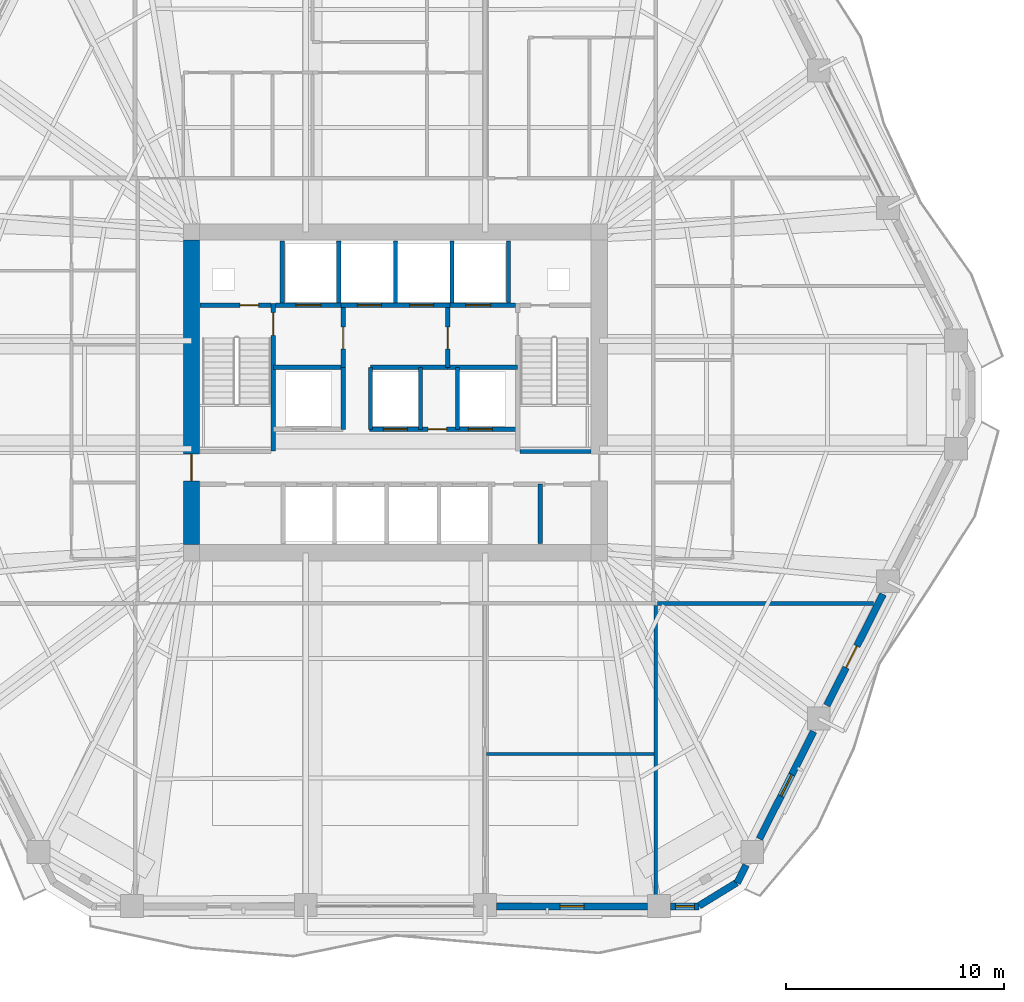
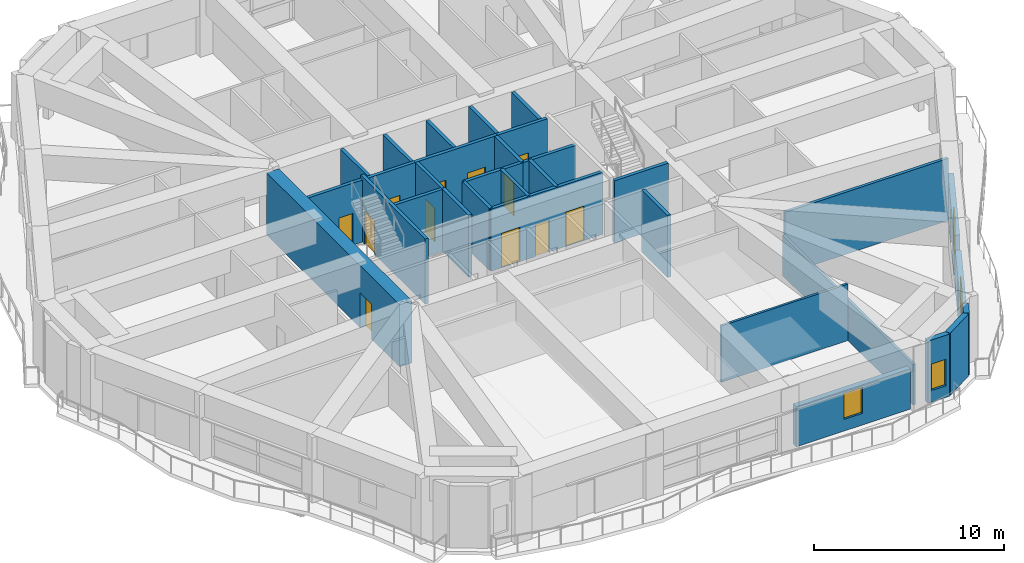
# One storey, part 15 of 23: 32 walls, 13 doors, 3 windows, 16 openings.
"""IFC4 building model written with IfcOpenShell, lengths in metres."""

import ifcopenshell
import ifcopenshell.guid

model = None  # the IFC model being written
_history = None  # IfcOwnerHistory: only IFC2X3 demands one
_inside = {}  # id of a spatial element -> (the spatial element, [elements in it])
_under = {}  # id of a project, library or spatial element -> (it, [spatial elements below it])
_declared = {}  # id of a project -> (the project, [libraries it declares])
_typed = {}  # id of a type object -> (the type object, [elements of that type])
_made_of = {}  # id of a material, layer set ... -> (it, [elements and type objects made of it])


def new_model(schema):
    """Start an empty IFC model of exactly this schema.

    Asked for "IFC4X3", IfcOpenShell would pick the latest addendum, in which some entities
    have other attributes; the version numbers below select the first issue.
    IFC2X3 requires an IfcOwnerHistory on every rooted entity: one is made here for all.
    """
    global model, _history
    if schema == "IFC4X3":
        model = ifcopenshell.file(schema_version=(4, 3, 0, 0))
    else:
        model = ifcopenshell.file(schema=schema)
    _inside.clear()
    _under.clear()
    _declared.clear()
    _typed.clear()
    _made_of.clear()
    _history = None
    if model.schema == "IFC2X3":
        org = make("IfcOrganization", Name="unknown")
        user = make(
            "IfcPersonAndOrganization",
            ThePerson=make("IfcPerson", FamilyName="unknown"),
            TheOrganization=org,
        )
        app = make(
            "IfcApplication",
            ApplicationDeveloper=org,
            Version="unknown",
            ApplicationFullName="unknown",
            ApplicationIdentifier="unknown",
        )
        _history = make(
            "IfcOwnerHistory",
            OwningUser=user,
            OwningApplication=app,
            ChangeAction="ADDED",
            CreationDate=0,
        )
    return model


def make(cls, **values):
    """One entity of the class cls with the attributes given. An attribute that is None is left unset."""
    return model.create_entity(
        cls, **{name: value for name, value in values.items() if value is not None}
    )


def rooted(cls, **values):
    """An entity with a GlobalId (a new one), such as an element, a storey or a relation."""
    return make(cls, GlobalId=ifcopenshell.guid.new(), OwnerHistory=_history, **values)


def si_unit(unit_type, name, prefix=None):
    """IfcSIUnit, for example si_unit("LENGTHUNIT", "METRE", prefix="MILLI")."""
    return make("IfcSIUnit", UnitType=unit_type, Prefix=prefix, Name=name)


def assignment(units):
    """IfcUnitAssignment: the units of a project."""
    return None if units is None else make("IfcUnitAssignment", Units=units)


def point(xyz):
    """IfcCartesianPoint."""
    return None if xyz is None else make("IfcCartesianPoint", Coordinates=xyz)


def direction(xyz):
    """IfcDirection."""
    return None if xyz is None else make("IfcDirection", DirectionRatios=xyz)


def frame(location, z_axis=None, x_axis=None):
    """IfcAxis2Placement3D, a coordinate frame: its origin and axes. An axis left out is left unset."""
    return make(
        "IfcAxis2Placement3D",
        Location=point(location),
        Axis=direction(z_axis),
        RefDirection=direction(x_axis),
    )


def frame_2d(location, x_axis=None):
    """IfcAxis2Placement2D, a coordinate frame in the plane: its origin and x axis."""
    return make(
        "IfcAxis2Placement2D", Location=point(location), RefDirection=direction(x_axis)
    )


def origin():
    """The frame at (0, 0, 0) with its axes left unset."""
    return frame((0.0, 0.0, 0.0))


def place(relative_to, where):
    """IfcLocalPlacement: puts the frame where relative to a parent placement (None: the world)."""
    return make(
        "IfcLocalPlacement", PlacementRelTo=relative_to, RelativePlacement=where
    )


def context(
    kind, dimensions, precision=None, world=None, true_north=None, identifier=None
):
    """IfcGeometricRepresentationContext, for example the 3D "Model" context."""
    return make(
        "IfcGeometricRepresentationContext",
        ContextIdentifier=identifier,
        ContextType=kind,
        CoordinateSpaceDimension=dimensions,
        Precision=precision,
        WorldCoordinateSystem=world,
        TrueNorth=true_north,
    )


def subcontext(parent, identifier, kind, view, scale=None):
    """IfcGeometricRepresentationSubContext, for example "Body" below "Model"."""
    return make(
        "IfcGeometricRepresentationSubContext",
        ContextIdentifier=identifier,
        ContextType=kind,
        ParentContext=parent,
        TargetScale=scale,
        TargetView=view,
    )


def project(units=None, contexts=None):
    """IfcProject with its units and contexts."""
    return rooted(
        "IfcProject",
        Name="project",
        RepresentationContexts=contexts,
        UnitsInContext=assignment(units),
    )


def spatial(cls, under=None, at=None, **own):
    """A site, building, storey or space (cls), placed at a placement, below another one or the project."""
    s = rooted(cls, ObjectPlacement=at, **own)
    if under is not None:
        _under.setdefault(under.id(), (under, []))[1].append(s)
    return s


def profile(cls, at=None, kind="AREA", **sizes):
    """A parametric profile (cls). Its sizes go by their IFC names, for example OverallWidth=200.0."""
    return make(cls, ProfileType=kind, Position=at, **sizes)


def rectangle(**sizes):
    """IfcRectangleProfileDef."""
    return profile("IfcRectangleProfileDef", **sizes)


def extrude(swept, where, along, depth):
    """IfcExtrudedAreaSolid: the profile swept, set in the frame where, extruded along a direction by depth."""
    return make(
        "IfcExtrudedAreaSolid",
        SweptArea=swept,
        Position=where,
        ExtrudedDirection=direction(along),
        Depth=depth,
    )


def shape(context_of_items, identifier, shape_type, items):
    """IfcShapeRepresentation: the items that make up one representation, for example the "Body"."""
    return make(
        "IfcShapeRepresentation",
        ContextOfItems=context_of_items,
        RepresentationIdentifier=identifier,
        RepresentationType=shape_type,
        Items=items,
    )


def material(Name=None, Category=None):
    """IfcMaterial."""
    return make("IfcMaterial", Name=Name, Category=Category)


def layer(
    of_material, thickness, ventilated=None, Name=None, Category=None, Priority=None
):
    """IfcMaterialLayer: one layer of a wall or slab, of a material (None: an air gap)."""
    return make(
        "IfcMaterialLayer",
        Material=of_material,
        LayerThickness=thickness,
        IsVentilated=ventilated,
        Name=Name,
        Category=Category,
        Priority=Priority,
    )


def layer_set(layers, Name=None):
    """IfcMaterialLayerSet."""
    return make("IfcMaterialLayerSet", MaterialLayers=layers, LayerSetName=Name)


def made_of(thing, what):
    """Note that an element or type object is made of a material, layer set ...; save() writes the relation."""
    if what is not None:
        _made_of.setdefault(what.id(), (what, []))[1].append(thing)
    return thing


def type_object(cls, material=None, **own):
    """A type object (cls), such as IfcWallType, which elements share."""
    return made_of(rooted(cls, **own), material)


def element(
    cls,
    number,
    at=None,
    inside=None,
    cuts=None,
    type_object=None,
    material=None,
    context=None,
    identifier="Body",
    shape_type=None,
    held_by="IfcProductDefinitionShape",
    body=None,
    shapes=None,
    **own,
):
    """One element of the class cls, such as IfcWall. Its Tag is "e" and its number.

    at: its placement. inside: the storey or other place that contains it. cuts: it is an
    opening in that element (IfcRelVoidsElement). A single representation is given by context,
    identifier, shape_type and body (its items); several are given by shapes. held_by: the class
    of the entity that holds the representations. save() writes the other relations.
    """
    e = rooted(cls, Tag="e%d" % number, ObjectPlacement=at, **own)
    if body is not None:
        shapes = [shape(context, identifier, shape_type, body)]
    if shapes is not None:
        e.Representation = make(held_by, Representations=shapes)
    if inside is not None:
        _inside.setdefault(inside.id(), (inside, []))[1].append(e)
    if cuts is not None:
        rooted(
            "IfcRelVoidsElement", RelatingBuildingElement=cuts, RelatedOpeningElement=e
        )
    if type_object is not None:
        _typed.setdefault(type_object.id(), (type_object, []))[1].append(e)
    return made_of(e, material)


def fill(opening, filler):
    """IfcRelFillsElement: the door or window that sits in an opening."""
    return rooted(
        "IfcRelFillsElement",
        RelatingOpeningElement=opening,
        RelatedBuildingElement=filler,
    )


def aggregate(whole, parts):
    """IfcRelAggregates: a whole, such as a stair, and the parts it consists of."""
    return rooted("IfcRelAggregates", RelatingObject=whole, RelatedObjects=parts)


def save(model, path):
    """Write the relations noted so far, then the file.

    IfcRelAggregates (storeys below a building ...), IfcRelContainedInSpatialStructure (elements
    in a storey), IfcRelDefinesByType, IfcRelAssociatesMaterial and IfcRelDeclares: one each for
    every whole, place, type object, material and project.
    """
    for whole, parts in _under.values():
        aggregate(whole, parts)
    for where, things in _inside.values():
        rooted(
            "IfcRelContainedInSpatialStructure",
            RelatedElements=things,
            RelatingStructure=where,
        )
    for kind, things in _typed.values():
        rooted("IfcRelDefinesByType", RelatedObjects=things, RelatingType=kind)
    for what, things in _made_of.values():
        rooted("IfcRelAssociatesMaterial", RelatedObjects=things, RelatingMaterial=what)
    for by, libraries in _declared.values():
        rooted("IfcRelDeclares", RelatingContext=by, RelatedDefinitions=libraries)
    model.write(path)


model = new_model("IFC4")

# Units and contexts
model_context = context("Model", 3, precision=1e-05, world=origin(), true_north=direction((0.0, 1.0)))
body_context = subcontext(model_context, "Body", "Model", "MODEL_VIEW")
ifc_project = project(units=[si_unit("LENGTHUNIT", "METRE"), si_unit("AREAUNIT", "SQUARE_METRE"), si_unit("VOLUMEUNIT", "CUBIC_METRE"), si_unit("PLANEANGLEUNIT", "RADIAN"), si_unit("MASSUNIT", "GRAM", prefix="KILO")], contexts=[model_context])

# Site, building, storey
site_placement = place(None, origin())
site = spatial("IfcSite", under=ifc_project, at=site_placement, CompositionType="ELEMENT")
building_placement = place(site_placement, origin())
building = spatial("IfcBuilding", under=site, at=building_placement, Name="Cinnabar Lancet Tower", CompositionType="ELEMENT")
storey_placement = place(building_placement, frame((0.0, 0.0, 94.199951171875)))
storey = spatial("IfcBuildingStorey", under=building, at=storey_placement, Name="L24", CompositionType="ELEMENT", Elevation=94.199951171875)

# Walls
ifc_material_1 = material(Name="Acoustic twin-stud gypsum partition", Category="gypsum")
ifc_layer_1 = layer(ifc_material_1, 0.159912109375)
ifc_layer_set_1 = layer_set([ifc_layer_1], Name="Acoustic twin-stud gypsum partition")
wall_type_1 = type_object("IfcWallType", Name="ARC-WL-CORR-160", PredefinedType="PARTITIONING", material=ifc_layer_set_1)
wall_1_placement = place(storey_placement, frame((44.366943359375, 2.364990234375, 0.0), z_axis=(0.0, 0.0, 1.0), x_axis=(0.0, 1.0, 0.0)))
element("IfcWall", 1, at=wall_1_placement, inside=storey, type_object=wall_type_1, Name="PW-L24-SLWCE", PredefinedType="PARTITIONING", context=body_context, shape_type="SweptSolid", body=[
    extrude(rectangle(XDim=13.75, YDim=0.159912109375, at=frame_2d((6.875, 0.0))), origin(), (0.0, 0.0, 1.0), 2.590087890625),
])
ifc_material_2 = material(Name="Fire-rated twin-frame acoustic drywall", Category="gypsum")
ifc_layer_2 = layer(ifc_material_2, 0.179931640625)
ifc_layer_set_2 = layer_set([ifc_layer_2], Name="Fire-rated twin-frame acoustic drywall")
wall_type_2 = type_object("IfcWallType", Name="ARC-WL-PARTY-180", PredefinedType="PARTITIONING", material=ifc_layer_set_2)
wall_2_placement = place(storey_placement, frame((44.451904296875, 16.199951171875, 0.0), z_axis=(0.0, 0.0, 1.0), x_axis=(1.0, 0.0, 0.0)))
element("IfcWall", 2, at=wall_2_placement, inside=storey, type_object=wall_type_2, Name="PW-L24-ESB", PredefinedType="PARTITIONING", context=body_context, shape_type="SweptSolid", body=[
    extrude(rectangle(XDim=9.922119140625, YDim=0.179931640625, at=frame_2d((4.9609375, 0.0))), origin(), (0.0, 0.0, 1.0), 3.989990234375),
])
ifc_material_3 = material(Name="Autoclaved aerated concrete blockwork", Category="masonry")
ifc_layer_3 = layer(ifc_material_3, 0.199951171875)
ifc_layer_set_3 = layer_set([ifc_layer_3], Name="Autoclaved aerated concrete blockwork")
wall_type_3 = type_object("IfcWallType", Name="ARC-WL-SHAFT-200", PredefinedType="PLUMBINGWALL", material=ifc_layer_set_3)
wall_3_placement = place(storey_placement, frame((38.125, 23.199951171875, 0.0), z_axis=(0.0, 0.0, 1.0), x_axis=(1.0, 0.0, 0.0)))
element("IfcWall", 3, at=wall_3_placement, inside=storey, type_object=wall_type_3, Name="CW-ST2S-L24", PredefinedType="PLUMBINGWALL", context=body_context, shape_type="SweptSolid", body=[
    extrude(rectangle(XDim=3.27001953125, YDim=0.199951171875, at=frame_2d((1.635009765625, 0.0))), origin(), (0.0, 0.0, 1.0), 3.989990234375),
])

# Wall, opening, door
wall_4_placement = place(storey_placement, frame((23.405029296875, 29.89990234375, 0.0), z_axis=(0.0, 0.0, 1.0), x_axis=(1.0, 0.0, 0.0)))
wall_4 = element("IfcWall", 4, at=wall_4_placement, inside=storey, type_object=wall_type_3, Name="CW-NSH-W-L24", PredefinedType="PLUMBINGWALL", context=body_context, shape_type="SweptSolid", body=[
    extrude(rectangle(XDim=3.27001953125, YDim=0.199951171875, at=frame_2d((1.635009765625, 0.0))), origin(), (0.0, 0.0, 1.0), 3.989990234375),
])
opening_1_placement = place(wall_4_placement, frame((1.85009765625, 0.0, 0.0)))
opening_1 = element("IfcOpeningElement", 5, at=opening_1_placement, cuts=wall_4, Name="Opening PD-02", PredefinedType="OPENING", context=body_context, shape_type="SweptSolid", body=[
    extrude(rectangle(XDim=0.85009765625, YDim=2.050048828125, at=frame_2d((0.425048828125, 1.02490234375))), frame((0.0, 0.10986328125, 0.0), z_axis=(0.0, -1.0, 0.0), x_axis=(1.0, 0.0, 0.0)), (0.0, 0.0, 1.0), 0.219970703125),
])
ifc_material_4 = material(Name="Fire-rated steel riser access door", Category="steel")
door_type_1 = type_object("IfcDoorType", Name="ARC-DR-RISER", OperationType="NOTDEFINED", PredefinedType="DOOR", material=ifc_material_4)
door_1_placement = place(opening_1_placement, origin())
door_1 = element("IfcDoor", 6, at=door_1_placement, inside=storey, type_object=door_type_1, Name="L24 West Riser Access Door", OperationType="SINGLE_SWING_LEFT", OverallHeight=2.050048828125, OverallWidth=0.85009765625, PredefinedType="DOOR", context=body_context, shape_type="SweptSolid", body=[
    extrude(rectangle(XDim=0.85009765625, YDim=2.050048828125, at=frame_2d((0.425048828125, 1.02490234375))), frame((0.0, 0.02490234375, 0.0), z_axis=(0.0, -1.0, 0.0), x_axis=(1.0, 0.0, 0.0)), (0.0, 0.0, 1.0), 0.050048828125),
])
fill(opening_1, door_1)

wall_5_placement = place(storey_placement, frame((26.885009765625, 29.89990234375, 0.0), z_axis=(0.0, 0.0, 1.0), x_axis=(1.0, 0.0, 0.0)))
wall_5 = element("IfcWall", 7, at=wall_5_placement, inside=storey, type_object=wall_type_3, Name="CW-FL1-L24", PredefinedType="PLUMBINGWALL", context=body_context, shape_type="SweptSolid", body=[
    extrude(rectangle(XDim=3.014892578125, YDim=0.199951171875, at=frame_2d((1.50732421875, 0.0))), origin(), (0.0, 0.0, 1.0), 3.989990234375),
])
opening_2_placement = place(wall_5_placement, frame((0.93994140625, 0.0, 0.0)))
opening_2 = element("IfcOpeningElement", 8, at=opening_2_placement, cuts=wall_5, Name="Opening LD-02", PredefinedType="OPENING", context=body_context, shape_type="SweptSolid", body=[
    extrude(rectangle(XDim=1.14990234375, YDim=2.199951171875, at=frame_2d((0.574951171875, 1.10009765625))), frame((0.0, 0.10986328125, 0.0), z_axis=(0.0, -1.0, 0.0), x_axis=(1.0, 0.0, 0.0)), (0.0, 0.0, 1.0), 0.219970703125),
])
ifc_material_5 = material(Name="Fire-rated stainless steel firefighting lift landing door", Category="steel")
door_type_2 = type_object("IfcDoorType", Name="ARC-DR-LD-FIRE", OperationType="NOTDEFINED", PredefinedType="DOOR", material=ifc_material_5)
door_2_placement = place(opening_2_placement, origin())
door_2 = element("IfcDoor", 9, at=door_2_placement, inside=storey, type_object=door_type_2, Name="L24 Firefighting Lift FL-1 Landing Door", OperationType="DOUBLE_DOOR_SLIDING", OverallHeight=2.199951171875, OverallWidth=1.14990234375, PredefinedType="DOOR", context=body_context, shape_type="SweptSolid", body=[
    extrude(rectangle(XDim=1.14990234375, YDim=2.199951171875, at=frame_2d((0.574951171875, 1.10009765625))), frame((0.0, 0.02490234375, 0.0), z_axis=(0.0, -1.0, 0.0), x_axis=(1.0, 0.0, 0.0)), (0.0, 0.0, 1.0), 0.050048828125),
])
fill(opening_2, door_2)

# Wall, openings, doors
wall_6_placement = place(storey_placement, frame((29.89990234375, 29.89990234375, 0.0), z_axis=(0.0, 0.0, 1.0), x_axis=(1.0, 0.0, 0.0)))
wall_6 = element("IfcWall", 10, at=wall_6_placement, inside=storey, type_object=wall_type_3, Name="CW-PL78-L24", PredefinedType="PLUMBINGWALL", context=body_context, shape_type="SweptSolid", body=[
    extrude(rectangle(XDim=5.0, YDim=0.199951171875, at=frame_2d((2.5, 0.0))), origin(), (0.0, 0.0, 1.0), 3.989990234375),
])
opening_3_placement = place(wall_6_placement, frame((0.75, 0.0, 0.0)))
opening_3 = element("IfcOpeningElement", 11, at=opening_3_placement, cuts=wall_6, Name="Opening LD-01", PredefinedType="OPENING", context=body_context, shape_type="SweptSolid", body=[
    extrude(rectangle(XDim=1.10009765625, YDim=2.199951171875, at=frame_2d((0.550048828125, 1.10009765625))), frame((0.0, 0.10986328125, 0.0), z_axis=(0.0, -1.0, 0.0), x_axis=(1.0, 0.0, 0.0)), (0.0, 0.0, 1.0), 0.219970703125),
])
opening_4_placement = place(wall_6_placement, frame((3.14990234375, 0.0, 0.0)))
opening_4 = element("IfcOpeningElement", 12, at=opening_4_placement, cuts=wall_6, Name="Opening LD-01", PredefinedType="OPENING", context=body_context, shape_type="SweptSolid", body=[
    extrude(rectangle(XDim=1.10009765625, YDim=2.199951171875, at=frame_2d((0.550048828125, 1.10009765625))), frame((0.0, 0.10986328125, 0.0), z_axis=(0.0, -1.0, 0.0), x_axis=(1.0, 0.0, 0.0)), (0.0, 0.0, 1.0), 0.219970703125),
])
ifc_material_6 = material(Name="Brushed stainless steel sliding lift door", Category="steel")
door_type_3 = type_object("IfcDoorType", Name="ARC-DR-LD-PASS", OperationType="NOTDEFINED", PredefinedType="DOOR", material=ifc_material_6)
door_3_placement = place(opening_3_placement, origin())
door_3 = element("IfcDoor", 13, at=door_3_placement, inside=storey, type_object=door_type_3, Name="L24 Lift PL-7 Landing Door", OperationType="DOUBLE_DOOR_SLIDING", OverallHeight=2.199951171875, OverallWidth=1.10009765625, PredefinedType="DOOR", context=body_context, shape_type="SweptSolid", body=[
    extrude(rectangle(XDim=1.10009765625, YDim=2.199951171875, at=frame_2d((0.550048828125, 1.10009765625))), frame((0.0, 0.02490234375, 0.0), z_axis=(0.0, -1.0, 0.0), x_axis=(1.0, 0.0, 0.0)), (0.0, 0.0, 1.0), 0.050048828125),
])
fill(opening_3, door_3)
door_4_placement = place(opening_4_placement, origin())
door_4 = element("IfcDoor", 14, at=door_4_placement, inside=storey, type_object=door_type_3, Name="L24 Lift PL-8 Landing Door", OperationType="DOUBLE_DOOR_SLIDING", OverallHeight=2.199951171875, OverallWidth=1.10009765625, PredefinedType="DOOR", context=body_context, shape_type="SweptSolid", body=[
    extrude(rectangle(XDim=1.10009765625, YDim=2.199951171875, at=frame_2d((0.550048828125, 1.10009765625))), frame((0.0, 0.02490234375, 0.0), z_axis=(0.0, -1.0, 0.0), x_axis=(1.0, 0.0, 0.0)), (0.0, 0.0, 1.0), 0.050048828125),
])
fill(opening_4, door_4)

# Wall, opening, door
wall_7_placement = place(storey_placement, frame((34.89990234375, 29.89990234375, 0.0), z_axis=(0.0, 0.0, 1.0), x_axis=(1.0, 0.0, 0.0)))
wall_7 = element("IfcWall", 15, at=wall_7_placement, inside=storey, type_object=wall_type_3, Name="CW-FL2-L24", PredefinedType="PLUMBINGWALL", context=body_context, shape_type="SweptSolid", body=[
    extrude(rectangle(XDim=3.01513671875, YDim=0.199951171875, at=frame_2d((1.507568359375, 0.0))), origin(), (0.0, 0.0, 1.0), 3.989990234375),
])
opening_5_placement = place(wall_7_placement, frame((0.72509765625, 0.0, 0.0)))
opening_5 = element("IfcOpeningElement", 16, at=opening_5_placement, cuts=wall_7, Name="Opening LD-02", PredefinedType="OPENING", context=body_context, shape_type="SweptSolid", body=[
    extrude(rectangle(XDim=1.14990234375, YDim=2.199951171875, at=frame_2d((0.574951171875, 1.10009765625))), frame((0.0, 0.10986328125, 0.0), z_axis=(0.0, -1.0, 0.0), x_axis=(1.0, 0.0, 0.0)), (0.0, 0.0, 1.0), 0.219970703125),
])
door_5_placement = place(opening_5_placement, origin())
door_5 = element("IfcDoor", 17, at=door_5_placement, inside=storey, type_object=door_type_2, Name="L24 Firefighting Lift FL-2 Landing Door", OperationType="DOUBLE_DOOR_SLIDING", OverallHeight=2.199951171875, OverallWidth=1.14990234375, PredefinedType="DOOR", context=body_context, shape_type="SweptSolid", body=[
    extrude(rectangle(XDim=1.14990234375, YDim=2.199951171875, at=frame_2d((0.574951171875, 1.10009765625))), frame((0.0, 0.02490234375, 0.0), z_axis=(0.0, -1.0, 0.0), x_axis=(1.0, 0.0, 0.0)), (0.0, 0.0, 1.0), 0.050048828125),
])
fill(opening_5, door_5)

# Walls
for number, where, z_axis, x_axis, name in (
    (18, (27.199951171875, 30.0, 0.0), (0.0, 0.0, 1.0), (0.0, 1.0, 0.0), "CW-NSH-D1-L24"),
    (19, (29.800048828125, 30.0, 0.0), (0.0, 0.0, 1.0), (0.0, 1.0, 0.0), "CW-NSH-D2-L24"),
    (20, (32.39990234375, 30.0, 0.0), (0.0, 0.0, 1.0), (0.0, 1.0, 0.0), "CW-NSH-D3-L24"),
    (21, (35.0, 30.0, 0.0), (0.0, 0.0, 1.0), (0.0, 1.0, 0.0), "CW-NSH-D4-L24"),
    (22, (37.60009765625, 30.0, 0.0), (0.0, 0.0, 1.0), (0.0, 1.0, 0.0), "CW-NSH-D5-L24"),
):
    element("IfcWall", number, at=place(storey_placement, frame(where, z_axis=z_axis, x_axis=x_axis)), inside=storey, type_object=wall_type_3, Name=name, PredefinedType="PLUMBINGWALL", context=body_context, shape_type="SweptSolid", body=[
        extrude(rectangle(XDim=2.85009765625, YDim=0.199951171875, at=frame_2d((1.425048828125, 0.0))), origin(), (0.0, 0.0, 1.0), 3.989990234375),
    ])

# Wall, opening, door
wall_8_placement = place(storey_placement, frame((30.0, 27.050048828125, 0.0), z_axis=(0.0, 0.0, 1.0), x_axis=(0.0, 1.0, 0.0)))
wall_8 = element("IfcWall", 23, at=wall_8_placement, inside=storey, type_object=wall_type_3, Name="CW-FF1E-L24", PredefinedType="PLUMBINGWALL", context=body_context, shape_type="SweptSolid", body=[
    extrude(rectangle(XDim=2.75, YDim=0.199951171875, at=frame_2d((1.375, 0.0))), origin(), (0.0, 0.0, 1.0), 3.989990234375),
])
opening_6_placement = place(wall_8_placement, frame((0.85009765625, 0.0, 0.0)))
opening_6 = element("IfcOpeningElement", 24, at=opening_6_placement, cuts=wall_8, Name="Opening FD-01", PredefinedType="OPENING", context=body_context, shape_type="SweptSolid", body=[
    extrude(rectangle(XDim=1.0, YDim=2.14990234375, at=frame_2d((0.5, 1.074951171875))), frame((0.0, 0.10986328125, 0.0), z_axis=(0.0, -1.0, 0.0), x_axis=(1.0, 0.0, 0.0)), (0.0, 0.0, 1.0), 0.219970703125),
])
ifc_material_7 = material(Name="Fire-rated timber-core lobby door", Category="wood")
door_type_4 = type_object("IfcDoorType", Name="ARC-DR-FFAL", OperationType="NOTDEFINED", PredefinedType="DOOR", material=ifc_material_7)
door_6_placement = place(opening_6_placement, origin())
door_6 = element("IfcDoor", 25, at=door_6_placement, inside=storey, type_object=door_type_4, Name="L24 FFAL-1 Lobby Fire Door", OperationType="SINGLE_SWING_RIGHT", OverallHeight=2.14990234375, OverallWidth=1.0, PredefinedType="DOOR", context=body_context, shape_type="SweptSolid", body=[
    extrude(rectangle(XDim=1.0, YDim=2.14990234375, at=frame_2d((0.5, 1.074951171875))), frame((0.0, 0.02490234375, 0.0), z_axis=(0.0, -1.0, 0.0), x_axis=(1.0, 0.0, 0.0)), (0.0, 0.0, 1.0), 0.050048828125),
])
fill(opening_6, door_6)

# Wall
wall_9_placement = place(storey_placement, frame((26.800048828125, 27.050048828125, 0.0), z_axis=(0.0, 0.0, 1.0), x_axis=(1.0, 0.0, 0.0)))
element("IfcWall", 26, at=wall_9_placement, inside=storey, type_object=wall_type_3, Name="CW-FF1S-L24", PredefinedType="PLUMBINGWALL", context=body_context, shape_type="SweptSolid", body=[
    extrude(rectangle(XDim=3.199951171875, YDim=0.199951171875, at=frame_2d((1.60009765625, 0.0))), origin(), (0.0, 0.0, 1.0), 3.989990234375),
])

# Wall, opening, door
wall_10_placement = place(storey_placement, frame((34.800048828125, 27.050048828125, 0.0), z_axis=(0.0, 0.0, 1.0), x_axis=(0.0, 1.0, 0.0)))
wall_10 = element("IfcWall", 27, at=wall_10_placement, inside=storey, type_object=wall_type_3, Name="CW-FF2W-L24", PredefinedType="PLUMBINGWALL", context=body_context, shape_type="SweptSolid", body=[
    extrude(rectangle(XDim=2.75, YDim=0.199951171875, at=frame_2d((1.375, 0.0))), origin(), (0.0, 0.0, 1.0), 3.989990234375),
])
opening_7_placement = place(wall_10_placement, frame((0.85009765625, 0.0, 0.0)))
opening_7 = element("IfcOpeningElement", 28, at=opening_7_placement, cuts=wall_10, Name="Opening FD-01", PredefinedType="OPENING", context=body_context, shape_type="SweptSolid", body=[
    extrude(rectangle(XDim=1.0, YDim=2.14990234375, at=frame_2d((0.5, 1.074951171875))), frame((0.0, 0.10986328125, 0.0), z_axis=(0.0, -1.0, 0.0), x_axis=(1.0, 0.0, 0.0)), (0.0, 0.0, 1.0), 0.219970703125),
])
door_7_placement = place(opening_7_placement, origin())
door_7 = element("IfcDoor", 29, at=door_7_placement, inside=storey, type_object=door_type_4, Name="L24 FFAL-2 Lobby Fire Door", OperationType="SINGLE_SWING_LEFT", OverallHeight=2.14990234375, OverallWidth=1.0, PredefinedType="DOOR", context=body_context, shape_type="SweptSolid", body=[
    extrude(rectangle(XDim=1.0, YDim=2.14990234375, at=frame_2d((0.5, 1.074951171875))), frame((0.0, 0.02490234375, 0.0), z_axis=(0.0, -1.0, 0.0), x_axis=(1.0, 0.0, 0.0)), (0.0, 0.0, 1.0), 0.050048828125),
])
fill(opening_7, door_7)

# Walls
wall_11_placement = place(storey_placement, frame((34.800048828125, 27.050048828125, 0.0), z_axis=(0.0, 0.0, 1.0), x_axis=(1.0, 0.0, 0.0)))
element("IfcWall", 30, at=wall_11_placement, inside=storey, type_object=wall_type_3, Name="CW-FF2S-L24", PredefinedType="PLUMBINGWALL", context=body_context, shape_type="SweptSolid", body=[
    extrude(rectangle(XDim=3.199951171875, YDim=0.199951171875, at=frame_2d((1.60009765625, 0.0))), origin(), (0.0, 0.0, 1.0), 3.989990234375),
])
wall_12_placement = place(storey_placement, frame((30.0, 24.199951171875, 0.0), z_axis=(0.0, 0.0, 1.0), x_axis=(0.0, 1.0, 0.0)))
element("IfcWall", 31, at=wall_12_placement, inside=storey, type_object=wall_type_3, Name="CW-PL5E-L24", PredefinedType="PLUMBINGWALL", context=body_context, shape_type="SweptSolid", body=[
    extrude(rectangle(XDim=2.85009765625, YDim=0.199951171875, at=frame_2d((1.425048828125, 0.0))), origin(), (0.0, 0.0, 1.0), 3.989990234375),
])

# Wall, openings, doors
wall_13_placement = place(storey_placement, frame((31.199951171875, 24.199951171875, 0.0), z_axis=(0.0, 0.0, 1.0), x_axis=(1.0, 0.0, 0.0)))
wall_13 = element("IfcWall", 32, at=wall_13_placement, inside=storey, type_object=wall_type_3, Name="CW-PL96S-L24", PredefinedType="PLUMBINGWALL", context=body_context, shape_type="SweptSolid", body=[
    extrude(rectangle(XDim=6.800048828125, YDim=0.199951171875, at=frame_2d((3.39990234375, 0.0))), origin(), (0.0, 0.0, 1.0), 3.989990234375),
])
opening_8_placement = place(wall_13_placement, frame((0.64990234375, 0.0, 0.0)))
opening_8 = element("IfcOpeningElement", 33, at=opening_8_placement, cuts=wall_13, Name="Opening LD-01", PredefinedType="OPENING", context=body_context, shape_type="SweptSolid", body=[
    extrude(rectangle(XDim=1.10009765625, YDim=2.199951171875, at=frame_2d((0.550048828125, 1.10009765625))), frame((0.0, 0.10986328125, 0.0), z_axis=(0.0, -1.0, 0.0), x_axis=(1.0, 0.0, 0.0)), (0.0, 0.0, 1.0), 0.219970703125),
])
opening_9_placement = place(wall_13_placement, frame((2.699951171875, 0.0, 0.0)))
opening_9 = element("IfcOpeningElement", 34, at=opening_9_placement, cuts=wall_13, Name="Opening PD-02", PredefinedType="OPENING", context=body_context, shape_type="SweptSolid", body=[
    extrude(rectangle(XDim=0.85009765625, YDim=2.050048828125, at=frame_2d((0.425048828125, 1.02490234375))), frame((0.0, 0.10986328125, 0.0), z_axis=(0.0, -1.0, 0.0), x_axis=(1.0, 0.0, 0.0)), (0.0, 0.0, 1.0), 0.219970703125),
])
opening_10_placement = place(wall_13_placement, frame((4.550048828125, 0.0, 0.0)))
opening_10 = element("IfcOpeningElement", 35, at=opening_10_placement, cuts=wall_13, Name="Opening LD-01", PredefinedType="OPENING", context=body_context, shape_type="SweptSolid", body=[
    extrude(rectangle(XDim=1.10009765625, YDim=2.199951171875, at=frame_2d((0.550048828125, 1.10009765625))), frame((0.0, 0.10986328125, 0.0), z_axis=(0.0, -1.0, 0.0), x_axis=(1.0, 0.0, 0.0)), (0.0, 0.0, 1.0), 0.219970703125),
])
door_8_placement = place(opening_8_placement, origin())
door_8 = element("IfcDoor", 36, at=door_8_placement, inside=storey, type_object=door_type_3, Name="L24 Lift PL-9 Landing Door", OperationType="DOUBLE_DOOR_SLIDING", OverallHeight=2.199951171875, OverallWidth=1.10009765625, PredefinedType="DOOR", context=body_context, shape_type="SweptSolid", body=[
    extrude(rectangle(XDim=1.10009765625, YDim=2.199951171875, at=frame_2d((0.550048828125, 1.10009765625))), frame((0.0, 0.02490234375, 0.0), z_axis=(0.0, -1.0, 0.0), x_axis=(1.0, 0.0, 0.0)), (0.0, 0.0, 1.0), 0.050048828125),
])
fill(opening_8, door_8)
door_9_placement = place(opening_10_placement, origin())
door_9 = element("IfcDoor", 37, at=door_9_placement, inside=storey, type_object=door_type_3, Name="L24 Lift PL-6 Landing Door", OperationType="DOUBLE_DOOR_SLIDING", OverallHeight=2.199951171875, OverallWidth=1.10009765625, PredefinedType="DOOR", context=body_context, shape_type="SweptSolid", body=[
    extrude(rectangle(XDim=1.10009765625, YDim=2.199951171875, at=frame_2d((0.550048828125, 1.10009765625))), frame((0.0, 0.02490234375, 0.0), z_axis=(0.0, -1.0, 0.0), x_axis=(1.0, 0.0, 0.0)), (0.0, 0.0, 1.0), 0.050048828125),
])
fill(opening_10, door_9)
door_10_placement = place(opening_9_placement, origin())
door_10 = element("IfcDoor", 38, at=door_10_placement, inside=storey, type_object=door_type_1, Name="L24 BMS Closet Door", OperationType="SINGLE_SWING_LEFT", OverallHeight=2.050048828125, OverallWidth=0.85009765625, PredefinedType="DOOR", context=body_context, shape_type="SweptSolid", body=[
    extrude(rectangle(XDim=0.85009765625, YDim=2.050048828125, at=frame_2d((0.425048828125, 1.02490234375))), frame((0.0, 0.02490234375, 0.0), z_axis=(0.0, -1.0, 0.0), x_axis=(1.0, 0.0, 0.0)), (0.0, 0.0, 1.0), 0.050048828125),
])
fill(opening_9, door_10)

# Walls
for number, where, z_axis, x_axis, name in (
    (39, (31.25, 24.199951171875, 0.0), (0.0, 0.0, 1.0), (0.0, 1.0, 0.0), "CW-PL9W-L24"),
    (40, (33.550048828125, 24.199951171875, 0.0), (0.0, 0.0, 1.0), (0.0, 1.0, 0.0), "CW-PL9E-L24"),
    (41, (35.25, 24.199951171875, 0.0), (0.0, 0.0, 1.0), (0.0, 1.0, 0.0), "CW-PL6W-L24"),
):
    element("IfcWall", number, at=place(storey_placement, frame(where, z_axis=z_axis, x_axis=x_axis)), inside=storey, type_object=wall_type_3, Name=name, PredefinedType="PLUMBINGWALL", context=body_context, shape_type="SweptSolid", body=[
        extrude(rectangle(XDim=2.85009765625, YDim=0.199951171875, at=frame_2d((1.425048828125, 0.0))), origin(), (0.0, 0.0, 1.0), 3.989990234375),
    ])
wall_14_placement = place(storey_placement, frame((31.25, 27.050048828125, 0.0), z_axis=(0.0, 0.0, 1.0), x_axis=(1.0, 0.0, 0.0)))
element("IfcWall", 42, at=wall_14_placement, inside=storey, type_object=wall_type_3, Name="CW-PL96N-L24", PredefinedType="PLUMBINGWALL", context=body_context, shape_type="SweptSolid", body=[
    extrude(rectangle(XDim=3.550048828125, YDim=0.199951171875, at=frame_2d((1.77490234375, 0.0))), origin(), (0.0, 0.0, 1.0), 3.989990234375),
])
wall_15_placement = place(storey_placement, frame((39.050048828125, 18.949951171875, 0.0), z_axis=(0.0, 0.0, 1.0), x_axis=(0.0, 1.0, 0.0)))
element("IfcWall", 43, at=wall_15_placement, inside=storey, type_object=wall_type_3, Name="CW-SB-SE-L24", PredefinedType="PLUMBINGWALL", context=body_context, shape_type="SweptSolid", body=[
    extrude(rectangle(XDim=2.72998046875, YDim=0.199951171875, at=frame_2d((1.364990234375, 0.0))), origin(), (0.0, 0.0, 1.0), 3.989990234375),
])
ifc_material_8 = material(Name="Moisture-resistant cement-board plumbing wall", Category="masonry")
ifc_layer_4 = layer(ifc_material_8, 0.139892578125)
ifc_layer_set_4 = layer_set([ifc_layer_4], Name="Moisture-resistant cement-board plumbing wall")
wall_type_4 = type_object("IfcWallType", Name="ARC-WL-WET-140", PredefinedType="PLUMBINGWALL", material=ifc_layer_set_4)
wall_16_placement = place(storey_placement, frame((36.596923828125, 9.281982421875, 0.0), z_axis=(0.0, 0.0, 1.0), x_axis=(1.0, 0.0, 0.0)))
element("IfcWall", 44, at=wall_16_placement, inside=storey, type_object=wall_type_4, Name="PW-L24-SLWCM", PredefinedType="PLUMBINGWALL", context=body_context, shape_type="SweptSolid", body=[
    extrude(rectangle(XDim=7.68505859375, YDim=0.139892578125, at=frame_2d((3.842529296875, 0.0))), origin(), (0.0, 0.0, 1.0), 3.625),
])
ifc_material_9 = material(Name="Warm buff clay brick", Category="masonry")
ifc_layer_5 = layer(ifc_material_9, 0.320068359375)
ifc_layer_set_5 = layer_set([ifc_layer_5], Name="Warm buff clay brick")
wall_type_5 = type_object("IfcWallType", Name="ENV-WL-BRK-BUF-320", PredefinedType="STANDARD", material=ifc_layer_set_5)
wall_17_placement = place(storey_placement, frame((46.35888671875, 2.303955078125, 0.0), z_axis=(0.0, 0.0, 1.0), x_axis=(0.851948296889, 0.523625915543, 0.0)))
element("IfcWall", 45, at=wall_17_placement, inside=storey, type_object=wall_type_5, Name="L24 Chamfered Corner Brick Pier 2.1", PredefinedType="STANDARD", context=body_context, shape_type="SweptSolid", body=[
    extrude(rectangle(XDim=2.022705078125, YDim=0.320068359375, at=frame_2d((1.01123046875, 0.0))), origin(), (0.0, 0.0, 1.0), 3.989990234375),
])

# Wall, opening, window
wall_18_placement = place(storey_placement, frame((37.051025390625, 2.280029296875, 0.0), z_axis=(0.0, 0.0, 1.0), x_axis=(1.0, 0.0, 0.0)))
wall_18 = element("IfcWall", 46, at=wall_18_placement, inside=storey, type_object=wall_type_5, Name="L24 Face 1 Masonry Bay Wall 4", PredefinedType="STANDARD", context=body_context, shape_type="SweptSolid", body=[
    extrude(rectangle(XDim=6.93701171875, YDim=0.320068359375, at=frame_2d((3.468505859375, 0.0))), origin(), (0.0, 0.0, 1.0), 2.590087890625),
])
opening_11_placement = place(wall_18_placement, frame((2.91796875, 0.0, 0.75)))
opening_11 = element("IfcOpeningElement", 47, at=opening_11_placement, cuts=wall_18, Name="Opening WN-04", PredefinedType="OPENING", context=body_context, shape_type="SweptSolid", body=[
    extrude(rectangle(XDim=1.10009765625, YDim=1.68994140625, at=frame_2d((0.550048828125, 0.844970703125))), frame((0.0, 0.169921875, 0.0), z_axis=(0.0, -1.0, 0.0), x_axis=(1.0, 0.0, 0.0)), (0.0, 0.0, 1.0), 0.340087890625),
])
ifc_material_10 = material(Name="Thermally broken bronze-anodized aluminium tall lancet window", Category="aluminium")
window_type = type_object("IfcWindowType", Name="ENV-WN-LANCET-1100", PartitioningType="SINGLE_PANEL", PredefinedType="WINDOW", material=ifc_material_10)
window_1_placement = place(opening_11_placement, origin())
window_1 = element("IfcWindow", 48, at=window_1_placement, inside=storey, type_object=window_type, Name="L24 Face 1 Gothic Lancet Window 4", OverallHeight=1.68994140625, OverallWidth=1.10009765625, PartitioningType="SINGLE_PANEL", PredefinedType="WINDOW", context=body_context, shape_type="SweptSolid", body=[
    extrude(rectangle(XDim=1.10009765625, YDim=1.68994140625, at=frame_2d((0.550048828125, 0.844970703125))), frame((0.0, 0.030029296875, 0.0), z_axis=(0.0, -1.0, 0.0), x_axis=(1.0, 0.0, 0.0)), (0.0, 0.0, 1.0), 0.06005859375),
])
fill(opening_11, window_1)

wall_19_placement = place(storey_placement, frame((45.0458984375, 2.280029296875, 0.0), z_axis=(0.0, 0.0, 1.0), x_axis=(1.0, 0.0, 0.0)))
wall_19 = element("IfcWall", 49, at=wall_19_placement, inside=storey, type_object=wall_type_5, Name="L24 Face 1 Masonry Bay Wall 5", PredefinedType="STANDARD", context=body_context, shape_type="SweptSolid", body=[
    extrude(rectangle(XDim=1.318115234375, YDim=0.320068359375, at=frame_2d((0.6591796875, 0.0))), origin(), (0.0, 0.0, 1.0), 3.989990234375),
])
opening_12_placement = place(wall_19_placement, frame((0.219970703125, 0.0, 0.75)))
opening_12 = element("IfcOpeningElement", 50, at=opening_12_placement, cuts=wall_19, Name="Opening WN-04", PredefinedType="OPENING", context=body_context, shape_type="SweptSolid", body=[
    extrude(rectangle(XDim=0.8779296875, YDim=1.699951171875, at=frame_2d((0.43896484375, 0.85009765625))), frame((0.0, 0.169921875, 0.0), z_axis=(0.0, -1.0, 0.0), x_axis=(1.0, 0.0, 0.0)), (0.0, 0.0, 1.0), 0.340087890625),
])
window_2_placement = place(opening_12_placement, origin())
window_2 = element("IfcWindow", 51, at=window_2_placement, inside=storey, type_object=window_type, Name="L24 Split-Bay Gothic Lancet Window 79", OverallHeight=1.699951171875, OverallWidth=0.8779296875, PartitioningType="SINGLE_PANEL", PredefinedType="WINDOW", context=body_context, shape_type="SweptSolid", body=[
    extrude(rectangle(XDim=0.8779296875, YDim=1.699951171875, at=frame_2d((0.43896484375, 0.85009765625))), frame((0.0, 0.030029296875, 0.0), z_axis=(0.0, -1.0, 0.0), x_axis=(1.0, 0.0, 0.0)), (0.0, 0.0, 1.0), 0.06005859375),
])
fill(opening_12, window_2)

# Wall
wall_20_placement = place(storey_placement, frame((48.10107421875, 3.347900390625, 0.0), z_axis=(0.0, 0.0, 1.0), x_axis=(0.451437519702, 0.892302732152, 0.0)))
element("IfcWall", 52, at=wall_20_placement, inside=storey, type_object=wall_type_5, Name="L24 Face 2 Masonry Bay Wall 1", PredefinedType="STANDARD", context=body_context, shape_type="SweptSolid", body=[
    extrude(rectangle(XDim=0.923583984375, YDim=0.320068359375, at=frame_2d((0.4619140625, 0.0))), origin(), (0.0, 0.0, 1.0), 3.989990234375),
])

# Wall, opening, window
wall_21_placement = place(storey_placement, frame((49.1259765625, 5.3740234375, 0.0), z_axis=(0.0, 0.0, 1.0), x_axis=(0.451552549164, 0.892244526654, 0.0)))
wall_21 = element("IfcWall", 53, at=wall_21_placement, inside=storey, type_object=wall_type_5, Name="L24 Face 2 Masonry Bay Wall 2", PredefinedType="STANDARD", context=body_context, shape_type="SweptSolid", body=[
    extrude(rectangle(XDim=5.530029296875, YDim=0.320068359375, at=frame_2d((2.76513671875, 0.0))), origin(), (0.0, 0.0, 1.0), 2.590087890625),
])
opening_13_placement = place(wall_21_placement, frame((2.215087890625, 0.0, 0.75)))
opening_13 = element("IfcOpeningElement", 54, at=opening_13_placement, cuts=wall_21, Name="Opening WN-04", PredefinedType="OPENING", context=body_context, shape_type="SweptSolid", body=[
    extrude(rectangle(XDim=1.10009765625, YDim=1.68994140625, at=frame_2d((0.550048828125, 0.844970703125))), frame((0.0, 0.169921875, 0.0), z_axis=(0.0, -1.0, 0.0), x_axis=(1.0, 0.0, 0.0)), (0.0, 0.0, 1.0), 0.340087890625),
])
window_3_placement = place(opening_13_placement, origin())
window_3 = element("IfcWindow", 55, at=window_3_placement, inside=storey, type_object=window_type, Name="L24 Face 2 Gothic Lancet Window 2", OverallHeight=1.68994140625, OverallWidth=1.10009765625, PartitioningType="SINGLE_PANEL", PredefinedType="WINDOW", context=body_context, shape_type="SweptSolid", body=[
    extrude(rectangle(XDim=1.10009765625, YDim=1.68994140625, at=frame_2d((0.550048828125, 0.844970703125))), frame((0.0, 0.030029296875, 0.0), z_axis=(0.0, -1.0, 0.0), x_axis=(1.0, 0.0, 0.0)), (0.0, 0.0, 1.0), 0.06005859375),
])
fill(opening_13, window_3)

# Wall, opening, door
wall_22_placement = place(storey_placement, frame((52.23095703125, 11.510009765625, 0.0), z_axis=(0.0, 0.0, 1.0), x_axis=(0.451472515373, 0.892285026134, 0.0)))
wall_22 = element("IfcWall", 56, at=wall_22_placement, inside=storey, type_object=wall_type_5, Name="L24 Face 2 Masonry Bay Wall 3", PredefinedType="STANDARD", context=body_context, shape_type="SweptSolid", body=[
    extrude(rectangle(XDim=5.7255859375, YDim=0.320068359375, at=frame_2d((2.86279296875, 0.0))), origin(), (0.0, 0.0, 1.0), 2.590087890625),
])
opening_14_placement = place(wall_22_placement, frame((1.9560546875, 0.0, 0.0)))
opening_14 = element("IfcOpeningElement", 57, at=opening_14_placement, cuts=wall_22, Name="Opening TD-01", PredefinedType="OPENING", context=body_context, shape_type="SweptSolid", body=[
    extrude(rectangle(XDim=1.10009765625, YDim=2.25, at=frame_2d((0.550048828125, 1.125))), frame((0.0, 0.169921875, 0.0), z_axis=(0.0, -1.0, 0.0), x_axis=(1.0, 0.0, 0.0)), (0.0, 0.0, 1.0), 0.340087890625),
])
ifc_material_11 = material(Name="Thermally broken low-E glazed balcony terrace door", Category="wood")
door_type_5 = type_object("IfcDoorType", Name="ARC-DR-BALC", OperationType="NOTDEFINED", PredefinedType="DOOR", material=ifc_material_11)
door_11_placement = place(opening_14_placement, origin())
door_11 = element("IfcDoor", 58, at=door_11_placement, inside=storey, type_object=door_type_5, Name="L24 Face 2 Glazed Terrace Door", OperationType="SINGLE_SWING_RIGHT", OverallHeight=2.25, OverallWidth=1.10009765625, PredefinedType="DOOR", context=body_context, shape_type="SweptSolid", body=[
    extrude(rectangle(XDim=1.10009765625, YDim=2.25, at=frame_2d((0.550048828125, 1.125))), frame((0.0, 0.02490234375, 0.0), z_axis=(0.0, -1.0, 0.0), x_axis=(1.0, 0.0, 0.0)), (0.0, 0.0, 1.0), 0.050048828125),
])
fill(opening_14, door_11)

ifc_material_12 = material(Name="Concrete C70/85", Category="concrete")
ifc_layer_6 = layer(ifc_material_12, 0.75)
ifc_layer_set_6 = layer_set([ifc_layer_6], Name="Concrete C70/85")
wall_type_6 = type_object("IfcWallType", Name="STR-WL-CORE-750", PredefinedType="SHEAR", material=ifc_layer_set_6)
wall_23_placement = place(storey_placement, frame((23.02490234375, 18.89990234375, 0.0), z_axis=(0.0, 0.0, 1.0), x_axis=(0.0, 1.0, 0.0)))
wall_23 = element("IfcWall", 59, at=wall_23_placement, inside=storey, type_object=wall_type_6, Name="L24 Core Shear Wall W", PredefinedType="SHEAR", context=body_context, shape_type="SweptSolid", body=[
    extrude(rectangle(XDim=14.0, YDim=0.75, at=frame_2d((7.0, 0.0))), origin(), (0.0, 0.0, 1.0), 3.989990234375),
])
opening_15_placement = place(wall_23_placement, frame((2.93994140625, 0.0, 0.0)))
opening_15 = element("IfcOpeningElement", 60, at=opening_15_placement, cuts=wall_23, Name="Opening FD-02", PredefinedType="OPENING", context=body_context, shape_type="SweptSolid", body=[
    extrude(rectangle(XDim=1.219970703125, YDim=2.25, at=frame_2d((0.60986328125, 1.125))), frame((0.0, 0.385009765625, 0.0), z_axis=(0.0, -1.0, 0.0), x_axis=(1.0, 0.0, 0.0)), (0.0, 0.0, 1.0), 0.77001953125),
])
ifc_material_13 = material(Name="Fire-rated double-vision core portal door", Category="wood")
door_type_6 = type_object("IfcDoorType", Name="ARC-DR-CPORT", OperationType="NOTDEFINED", PredefinedType="DOOR", material=ifc_material_13)
door_12_placement = place(opening_15_placement, origin())
door_12 = element("IfcDoor", 61, at=door_12_placement, inside=storey, type_object=door_type_6, Name="L24 West Core Lobby Fire Door", OperationType="SINGLE_SWING_RIGHT", OverallHeight=2.25, OverallWidth=1.219970703125, PredefinedType="DOOR", context=body_context, shape_type="SweptSolid", body=[
    extrude(rectangle(XDim=1.219970703125, YDim=2.25, at=frame_2d((0.60986328125, 1.125))), frame((0.0, 0.02490234375, 0.0), z_axis=(0.0, -1.0, 0.0), x_axis=(1.0, 0.0, 0.0)), (0.0, 0.0, 1.0), 0.050048828125),
])
fill(opening_15, door_12)

ifc_material_14 = material(Name="Concrete C50/60", Category="concrete")
ifc_layer_7 = layer(ifc_material_14, 0.199951171875)
ifc_layer_set_7 = layer_set([ifc_layer_7], Name="Concrete C50/60")
wall_type_7 = type_object("IfcWallType", Name="STR-WL-STAIR-200", PredefinedType="SHEAR", material=ifc_layer_set_7)
wall_24_placement = place(storey_placement, frame((26.780029296875, 23.199951171875, 0.0), z_axis=(0.0, 0.0, 1.0), x_axis=(0.0, 1.0, 0.0)))
wall_24 = element("IfcWall", 62, at=wall_24_placement, inside=storey, type_object=wall_type_7, Name="L24 Stair ST-1 Structural Enclosure Wall", PredefinedType="SHEAR", context=body_context, shape_type="SweptSolid", body=[
    extrude(rectangle(XDim=6.780029296875, YDim=0.199951171875, at=frame_2d((3.39013671875, 0.0))), origin(), (0.0, 0.0, 1.0), 4.199951171875),
])
opening_16_placement = place(wall_24_placement, frame((5.320068359375, 0.0, 0.0)))
opening_16 = element("IfcOpeningElement", 63, at=opening_16_placement, cuts=wall_24, Name="Opening SD-01", PredefinedType="OPENING", context=body_context, shape_type="SweptSolid", body=[
    extrude(rectangle(XDim=1.050048828125, YDim=2.14990234375, at=frame_2d((0.52490234375, 1.074951171875))), frame((0.0, 0.10986328125, 0.0), z_axis=(0.0, -1.0, 0.0), x_axis=(1.0, 0.0, 0.0)), (0.0, 0.0, 1.0), 0.219970703125),
])
ifc_material_15 = material(Name="Fire-rated steel stair exit door", Category="steel")
door_type_7 = type_object("IfcDoorType", Name="ARC-DR-STAIR", OperationType="NOTDEFINED", PredefinedType="DOOR", material=ifc_material_15)
door_13_placement = place(opening_16_placement, origin())
door_13 = element("IfcDoor", 64, at=door_13_placement, inside=storey, type_object=door_type_7, Name="L24 Stair ST-1 Fire Door", OperationType="SINGLE_SWING_LEFT", OverallHeight=2.14990234375, OverallWidth=1.050048828125, PredefinedType="DOOR", context=body_context, shape_type="SweptSolid", body=[
    extrude(rectangle(XDim=1.050048828125, YDim=2.14990234375, at=frame_2d((0.52490234375, 1.074951171875))), frame((0.0, 0.02490234375, 0.0), z_axis=(0.0, -1.0, 0.0), x_axis=(1.0, 0.0, 0.0)), (0.0, 0.0, 1.0), 0.050048828125),
])
fill(opening_16, door_13)

save(model, "model.ifc")
